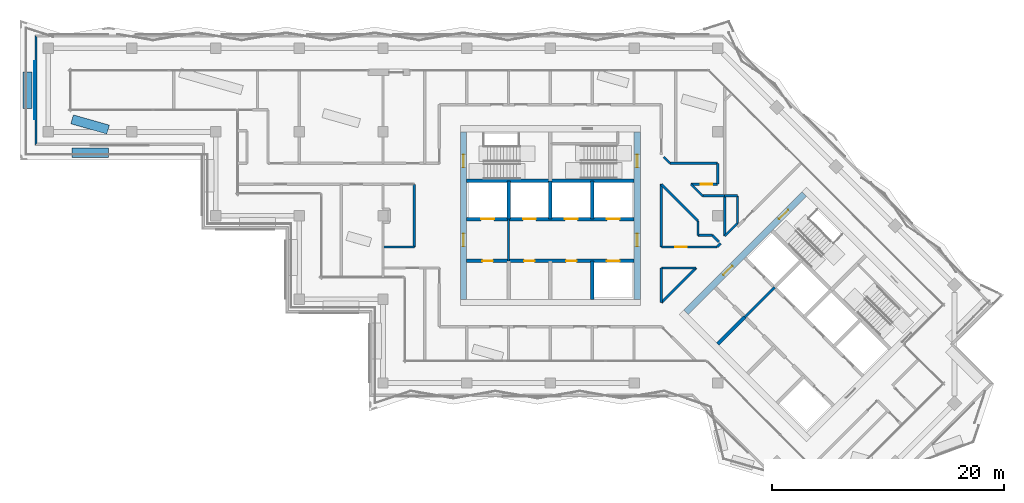
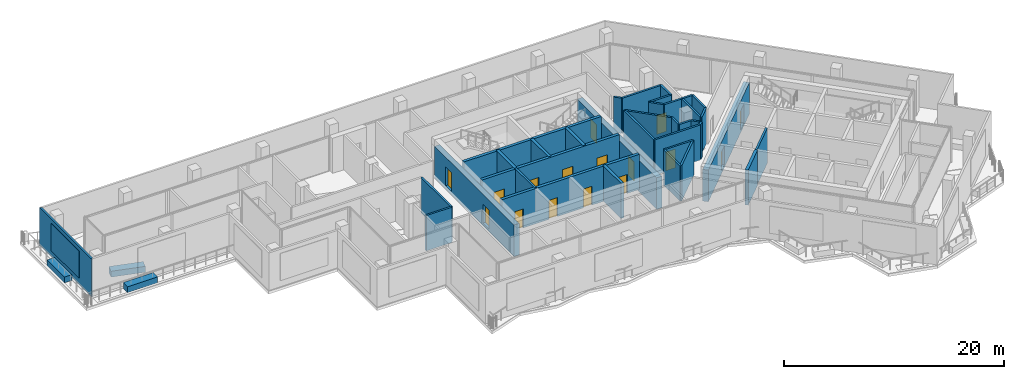
# One storey, part 10 of 19: 40 walls, 16 doors, 1 plate, 16 openings.
"""IFC4 building model written with IfcOpenShell, lengths in metres."""

from ifc_helpers import new_model, si_unit, direction, frame, frame_2d, origin, place, context, subcontext, project, spatial, polyline, rectangle, outline, extrude, material, layer, layer_set, type_object, element, fill, aggregate, save


model = new_model("IFC4")

# Units and contexts
model_context = context("Model", 3, precision=1e-05, world=origin(), true_north=direction((0.0, 1.0)))
body_context = subcontext(model_context, "Body", "Model", "MODEL_VIEW")
ifc_project = project(units=[si_unit("LENGTHUNIT", "METRE"), si_unit("AREAUNIT", "SQUARE_METRE"), si_unit("VOLUMEUNIT", "CUBIC_METRE"), si_unit("PLANEANGLEUNIT", "RADIAN"), si_unit("MASSUNIT", "GRAM", prefix="KILO")], contexts=[model_context])

# Plate
ifc_material_1 = material(Name="Aluminium louvre", Category="aluminium")
ifc_layer_1 = layer(ifc_material_1, 0.05)
ifc_layer_set_1 = layer_set([ifc_layer_1], Name="Belt louvre panel 5000x3000")
plate_type = type_object("IfcPlateType", Name="Belt louvre panel 5000x3000", PredefinedType="SHEET", material=ifc_layer_set_1)
site_placement = place(None, origin())
building_placement = place(site_placement, origin())
storey_placement = place(building_placement, frame((0.0, 0.0, 176.2)))
plate_placement = place(storey_placement, frame((20.4, 70.9, 0.75), z_axis=(-1.0, 0.0, 0.0), x_axis=(0.0, -1.0, 0.0)))
plate = element("IfcPlate", 1, at=plate_placement, type_object=plate_type, Name="Belt louvre panel L48 33.1", PredefinedType="SHEET", context=body_context, shape_type="SweptSolid", body=[
    extrude(outline(polyline([(0.0, 0.0), (5.0, 0.0), (5.0, 3.0), (0.0, 3.0), (0.0, 0.0)])), origin(), (0.0, 0.0, -1.0), 0.05),
])

# Site, building, storey
site = spatial("IfcSite", under=ifc_project, at=site_placement, CompositionType="ELEMENT")
building = spatial("IfcBuilding", under=site, at=building_placement, Name="Windrow Commons", CompositionType="ELEMENT")
storey = spatial("IfcBuildingStorey", under=building, at=storey_placement, Name="L48", CompositionType="ELEMENT", Elevation=176.2)

# Wall
ifc_material_2 = material(Name="Concrete C40/50 precast screen panel", Category="concrete")
ifc_layer_2 = layer(ifc_material_2, 0.2)
ifc_layer_set_2 = layer_set([ifc_layer_2], Name="Belt screen wall 200")
wall_type_1 = type_object("IfcWallType", Name="Belt screen wall 200", PredefinedType="SOLIDWALL", material=ifc_layer_set_2)
wall_1_placement = place(storey_placement, frame((20.55, 73.05, 0.0), z_axis=(0.0, 0.0, 1.0), x_axis=(0.0, -1.0, 0.0)))
wall_1 = element("IfcWall", 2, at=wall_1_placement, inside=storey, type_object=wall_type_1, Name="Belt screen wall L48 33", PredefinedType="SOLIDWALL", context=body_context, shape_type="SweptSolid", body=[
    extrude(outline(polyline([(-0.1, -0.1), (9.4, -0.1), (9.2, 0.1), (0.1, 0.1), (-0.1, -0.1)])), origin(), (0.0, 0.0, 1.0), 4.2),
])

aggregate(wall_1, [plate])

# Walls
ifc_material_3 = material(Name="Blockwork partition", Category="masonry")
ifc_layer_3 = layer(ifc_material_3, 0.2)
ifc_layer_set_3 = layer_set([ifc_layer_3], Name="Fire lobby partition 200")
wall_type_2 = type_object("IfcWallType", Name="Fire lobby partition 200", PredefinedType="PARTITIONING", material=ifc_layer_set_3)
for number, where, z_axis, x_axis, name in (
    (3, (61.2, 53.7, 0.0), (0.0, 0.0, 1.0), (0.0, 1.0, 0.0), "W-core-lobby-A-L48"),
    (4, (81.5335, 48.8776, 0.0), (0.0, 0.0, 1.0), (0.707092892, 0.7071206701, 0.0), "W-core-lobby-B-L48"),
):
    element("IfcWall", number, at=place(storey_placement, frame(where, z_axis=z_axis, x_axis=x_axis)), inside=storey, type_object=wall_type_2, Name=name, PredefinedType="PARTITIONING", context=body_context, shape_type="SweptSolid", body=[
        extrude(rectangle(XDim=3.6, YDim=0.2, at=frame_2d((1.8, 0.0))), origin(), (0.0, 0.0, 1.0), 3.9),
    ])
ifc_material_4 = material(Name="Blockwork partition", Category="masonry")
ifc_layer_4 = layer(ifc_material_4, 0.2)
ifc_layer_set_4 = layer_set([ifc_layer_4], Name="IW-CORRIDOR-200")
wall_type_3 = type_object("IfcWallType", Name="IW-CORRIDOR-200", PredefinedType="PARTITIONING", material=ifc_layer_set_4)
wall_2_placement = place(storey_placement, frame((74.35, 54.902, 0.0), z_axis=(0.0, 0.0, 1.0), x_axis=(0.0, 1.0, 0.0)))
element("IfcWall", 5, at=wall_2_placement, inside=storey, type_object=wall_type_3, Name="W-L48-W012", PredefinedType="PARTITIONING", context=body_context, shape_type="SweptSolid", body=[
    extrude(rectangle(XDim=5.4, YDim=0.2, at=frame_2d((2.7, 0.0))), origin(), (0.0, 0.0, 1.0), 3.9),
])
wall_3_placement = place(storey_placement, frame((53.1, 54.902, 0.0), z_axis=(0.0, 0.0, 1.0), x_axis=(0.0, 1.0, 0.0)))
element("IfcWall", 6, at=wall_3_placement, inside=storey, type_object=wall_type_3, Name="W-L48-W013", PredefinedType="PARTITIONING", context=body_context, shape_type="SweptSolid", body=[
    extrude(rectangle(XDim=5.398, YDim=0.2, at=frame_2d((2.699, 0.0))), origin(), (0.0, 0.0, 1.0), 3.9),
])

# Wall, opening, door
wall_4_placement = place(storey_placement, frame((74.352, 54.9, 0.0), z_axis=(0.0, 0.0, 1.0), x_axis=(1.0, 0.0, 0.0)))
wall_4 = element("IfcWall", 7, at=wall_4_placement, inside=storey, type_object=wall_type_3, Name="W-L48-W019", PredefinedType="PARTITIONING", context=body_context, shape_type="SweptSolid", body=[
    extrude(rectangle(XDim=4.788, YDim=0.2, at=frame_2d((2.394, 0.0))), origin(), (0.0, 0.0, 1.0), 3.9),
])
opening_1_placement = place(wall_4_placement, frame((1.1905, 0.0, 0.0)))
opening_1 = element("IfcOpeningElement", 8, at=opening_1_placement, cuts=wall_4, Name="Opening D310F", PredefinedType="OPENING", context=body_context, shape_type="SweptSolid", body=[
    extrude(rectangle(XDim=1.0, YDim=2.1, at=frame_2d((0.5, 1.05))), frame((0.0, 0.11, 0.0), z_axis=(0.0, -1.0, 0.0), x_axis=(1.0, 0.0, 0.0)), (0.0, 0.0, 1.0), 0.22),
])
ifc_material_5 = material(Name="Timber door leaf", Category="wood")
door_type_1 = type_object("IfcDoorType", Name="DT-AMENITY-1000", OperationType="SINGLE_SWING_LEFT", PredefinedType="DOOR", material=ifc_material_5)
door_1_placement = place(opening_1_placement, origin())
door_1 = element("IfcDoor", 9, at=door_1_placement, inside=storey, type_object=door_type_1, Name="D-L48-D003", OperationType="SINGLE_SWING_LEFT", OverallHeight=2.1, OverallWidth=1.0, PredefinedType="DOOR", context=body_context, shape_type="SweptSolid", body=[
    extrude(rectangle(XDim=1.0, YDim=2.1, at=frame_2d((0.5, 1.05))), frame((0.0, 0.025, 0.0), z_axis=(0.0, -1.0, 0.0), x_axis=(1.0, 0.0, 0.0)), (0.0, 0.0, 1.0), 0.05),
])
fill(opening_1, door_1)

# Walls
wall_5_placement = place(storey_placement, frame((74.3486, 60.2986, 0.0), z_axis=(0.0, 0.0, 1.0), x_axis=(0.7071067812, -0.7071067812, 0.0)))
element("IfcWall", 10, at=wall_5_placement, inside=storey, type_object=wall_type_3, Name="W-L48-W021", PredefinedType="PARTITIONING", context=body_context, shape_type="SweptSolid", body=[
    extrude(rectangle(XDim=4.4519, YDim=0.2, at=frame_2d((2.226, 0.0))), origin(), (0.0, 0.0, 1.0), 3.9),
])
wall_6_placement = place(storey_placement, frame((74.3508, 50.1112, 0.0), z_axis=(0.0, 0.0, 1.0), x_axis=(0.7071067812, 0.7071067812, 0.0)))
element("IfcWall", 11, at=wall_6_placement, inside=storey, type_object=wall_type_3, Name="W-L48-W023", PredefinedType="PARTITIONING", context=body_context, shape_type="SweptSolid", body=[
    extrude(rectangle(XDim=4.2257, YDim=0.2, at=frame_2d((2.1128, 0.0))), origin(), (0.0, 0.0, 1.0), 3.9),
])
wall_7_placement = place(storey_placement, frame((75.1, 62.1, 0.0), z_axis=(0.0, 0.0, 1.0), x_axis=(1.0, 0.0, 0.0)))
element("IfcWall", 12, at=wall_7_placement, inside=storey, type_object=wall_type_3, Name="W-L48-W025", PredefinedType="PARTITIONING", context=body_context, shape_type="SweptSolid", body=[
    extrude(rectangle(XDim=4.1, YDim=0.2, at=frame_2d((2.05, 0.0))), origin(), (0.0, 0.0, 1.0), 3.9),
])
wall_8_placement = place(storey_placement, frame((79.8, 55.844, 0.0), z_axis=(0.0, 0.0, 1.0), x_axis=(0.0, 1.0, 0.0)))
element("IfcWall", 13, at=wall_8_placement, inside=storey, type_object=wall_type_3, Name="W-L48-W026", PredefinedType="PARTITIONING", context=body_context, shape_type="SweptSolid", body=[
    extrude(rectangle(XDim=3.456, YDim=0.2, at=frame_2d((1.728, 0.0))), origin(), (0.0, 0.0, 1.0), 3.9),
])
wall_9_placement = place(storey_placement, frame((74.35, 50.112, 0.0), z_axis=(0.0, 0.0, 1.0), x_axis=(0.0, 1.0, 0.0)))
element("IfcWall", 14, at=wall_9_placement, inside=storey, type_object=wall_type_3, Name="W-L48-W030", PredefinedType="PARTITIONING", context=body_context, shape_type="SweptSolid", body=[
    extrude(rectangle(XDim=2.988, YDim=0.2, at=frame_2d((1.494, 0.0))), origin(), (0.0, 0.0, 1.0), 3.9),
])
wall_10_placement = place(storey_placement, frame((74.352, 53.1, 0.0), z_axis=(0.0, 0.0, 1.0), x_axis=(1.0, 0.0, 0.0)))
element("IfcWall", 15, at=wall_10_placement, inside=storey, type_object=wall_type_3, Name="W-L48-W031", PredefinedType="PARTITIONING", context=body_context, shape_type="SweptSolid", body=[
    extrude(rectangle(XDim=2.986, YDim=0.2, at=frame_2d((1.493, 0.0))), origin(), (0.0, 0.0, 1.0), 3.9),
])
wall_11_placement = place(storey_placement, frame((50.4, 54.9, 0.0), z_axis=(0.0, 0.0, 1.0), x_axis=(1.0, 0.0, 0.0)))
element("IfcWall", 16, at=wall_11_placement, inside=storey, type_object=wall_type_3, Name="W-L48-W045", PredefinedType="PARTITIONING", context=body_context, shape_type="SweptSolid", body=[
    extrude(rectangle(XDim=2.7, YDim=0.2, at=frame_2d((1.35, 0.0))), origin(), (0.0, 0.0, 1.0), 3.9),
])

# Wall, opening, door
wall_12_placement = place(storey_placement, frame((76.902, 60.3, 0.0), z_axis=(0.0, 0.0, 1.0), x_axis=(1.0, 0.0, 0.0)))
wall_12 = element("IfcWall", 17, at=wall_12_placement, inside=storey, type_object=wall_type_3, Name="W-L48-W048", PredefinedType="PARTITIONING", context=body_context, shape_type="SweptSolid", body=[
    extrude(rectangle(XDim=2.296, YDim=0.2, at=frame_2d((1.148, 0.0))), origin(), (0.0, 0.0, 1.0), 3.9),
])
opening_2_placement = place(wall_12_placement, frame((0.8254, 0.0, 0.0)))
opening_2 = element("IfcOpeningElement", 18, at=opening_2_placement, cuts=wall_12, Name="Opening D310F", PredefinedType="OPENING", context=body_context, shape_type="SweptSolid", body=[
    extrude(rectangle(XDim=1.0, YDim=2.1, at=frame_2d((0.5, 1.05))), frame((0.0, 0.11, 0.0), z_axis=(0.0, -1.0, 0.0), x_axis=(1.0, 0.0, 0.0)), (0.0, 0.0, 1.0), 0.22),
])
door_2_placement = place(opening_2_placement, origin())
door_2 = element("IfcDoor", 19, at=door_2_placement, inside=storey, type_object=door_type_1, Name="D-L48-D021", OperationType="SINGLE_SWING_LEFT", OverallHeight=2.1, OverallWidth=1.0, PredefinedType="DOOR", context=body_context, shape_type="SweptSolid", body=[
    extrude(rectangle(XDim=1.0, YDim=2.1, at=frame_2d((0.5, 1.05))), frame((0.0, 0.025, 0.0), z_axis=(0.0, -1.0, 0.0), x_axis=(1.0, 0.0, 0.0)), (0.0, 0.0, 1.0), 0.05),
])
fill(opening_2, door_2)

# Walls
wall_13_placement = place(storey_placement, frame((77.9, 59.3, 0.0), z_axis=(0.0, 0.0, 1.0), x_axis=(1.0, 0.0, 0.0)))
element("IfcWall", 20, at=wall_13_placement, inside=storey, type_object=wall_type_3, Name="W-L48-W053", PredefinedType="PARTITIONING", context=body_context, shape_type="SweptSolid", body=[
    extrude(rectangle(XDim=1.9, YDim=0.2, at=frame_2d((0.95, 0.0))), origin(), (0.0, 0.0, 1.0), 3.9),
])
wall_14_placement = place(storey_placement, frame((79.2, 60.302, 0.0), z_axis=(0.0, 0.0, 1.0), x_axis=(0.0, 1.0, 0.0)))
element("IfcWall", 21, at=wall_14_placement, inside=storey, type_object=wall_type_3, Name="W-L48-W055", PredefinedType="PARTITIONING", context=body_context, shape_type="SweptSolid", body=[
    extrude(rectangle(XDim=1.798, YDim=0.2, at=frame_2d((0.899, 0.0))), origin(), (0.0, 0.0, 1.0), 3.9),
])
wall_15_placement = place(storey_placement, frame((79.8014, 55.8446, 0.0), z_axis=(0.0, 0.0, 1.0), x_axis=(0.7071067812, 0.7071067812, 0.0)))
element("IfcWall", 22, at=wall_15_placement, inside=storey, type_object=wall_type_3, Name="W-L48-W056", PredefinedType="PARTITIONING", context=body_context, shape_type="SweptSolid", body=[
    extrude(rectangle(XDim=1.5528, YDim=0.2, at=frame_2d((0.7764, 0.0))), origin(), (0.0, 0.0, 1.0), 3.9),
])
wall_16_placement = place(storey_placement, frame((76.9033, 60.3013, 0.0), z_axis=(0.0, 0.0, 1.0), x_axis=(0.7063986127, -0.7078142412, 0.0)))
element("IfcWall", 23, at=wall_16_placement, inside=storey, type_object=wall_type_3, Name="W-L48-W057", PredefinedType="PARTITIONING", context=body_context, shape_type="SweptSolid", body=[
    extrude(rectangle(XDim=1.4128, YDim=0.2, at=frame_2d((0.7064, 0.0))), origin(), (0.0, 0.0, 1.0), 3.9),
])
wall_17_placement = place(storey_placement, frame((77.5, 55.9, 0.0), z_axis=(0.0, 0.0, 1.0), x_axis=(0.0, 1.0, 0.0)))
element("IfcWall", 24, at=wall_17_placement, inside=storey, type_object=wall_type_3, Name="W-L48-W058", PredefinedType="PARTITIONING", context=body_context, shape_type="SweptSolid", body=[
    extrude(rectangle(XDim=1.254, YDim=0.2, at=frame_2d((0.627, 0.0))), origin(), (0.0, 0.0, 1.0), 3.9),
])
wall_18_placement = place(storey_placement, frame((77.502, 55.9, 0.0), z_axis=(0.0, 0.0, 1.0), x_axis=(1.0, 0.0, 0.0)))
element("IfcWall", 25, at=wall_18_placement, inside=storey, type_object=wall_type_3, Name="W-L48-W059", PredefinedType="PARTITIONING", context=body_context, shape_type="SweptSolid", body=[
    extrude(rectangle(XDim=1.252, YDim=0.2, at=frame_2d((0.626, 0.0))), origin(), (0.0, 0.0, 1.0), 3.9),
])
wall_19_placement = place(storey_placement, frame((78.7506, 55.8966, 0.0), z_axis=(0.0, 0.0, 1.0), x_axis=(0.7071067812, -0.7071067812, 0.0)))
element("IfcWall", 26, at=wall_19_placement, inside=storey, type_object=wall_type_3, Name="W-L48-W063", PredefinedType="PARTITIONING", context=body_context, shape_type="SweptSolid", body=[
    extrude(rectangle(XDim=0.7806, YDim=0.2, at=frame_2d((0.3903, 0.0))), origin(), (0.0, 0.0, 1.0), 3.9),
])
wall_20_placement = place(storey_placement, frame((74.5535, 62.6535, 0.0), z_axis=(0.0, 0.0, 1.0), x_axis=(0.7071067812, -0.7071067812, 0.0)))
element("IfcWall", 27, at=wall_20_placement, inside=storey, type_object=wall_type_3, Name="W-L48-W064", PredefinedType="PARTITIONING", context=body_context, shape_type="SweptSolid", body=[
    extrude(rectangle(XDim=0.7778, YDim=0.2, at=frame_2d((0.3889, 0.0))), origin(), (0.0, 0.0, 1.0), 3.9),
])
wall_21_placement = place(storey_placement, frame((79.1408, 54.9012, 0.0), z_axis=(0.0, 0.0, 1.0), x_axis=(0.7071067812, 0.7071067812, 0.0)))
element("IfcWall", 28, at=wall_21_placement, inside=storey, type_object=wall_type_3, Name="W-L48-W070", PredefinedType="PARTITIONING", context=body_context, shape_type="SweptSolid", body=[
    extrude(rectangle(XDim=0.4327, YDim=0.2, at=frame_2d((0.2163, 0.0))), origin(), (0.0, 0.0, 1.0), 3.9),
])
ifc_material_6 = material(Name="Blockwork partition", Category="masonry")
ifc_layer_5 = layer(ifc_material_6, 0.2)
ifc_layer_set_5 = layer_set([ifc_layer_5], Name="IW-PARTY-200")
wall_type_4 = type_object("IfcWallType", Name="IW-PARTY-200", PredefinedType="PARTITIONING", material=ifc_layer_set_5)
wall_22_placement = place(storey_placement, frame((80.9, 56.942, 0.0), z_axis=(0.0, 0.0, 1.0), x_axis=(0.0, 1.0, 0.0)))
element("IfcWall", 29, at=wall_22_placement, inside=storey, type_object=wall_type_4, Name="W-L48-W047", PredefinedType="PARTITIONING", context=body_context, shape_type="SweptSolid", body=[
    extrude(rectangle(XDim=2.356, YDim=0.2, at=frame_2d((1.178, 0.0))), origin(), (0.0, 0.0, 1.0), 3.9),
])
wall_23_placement = place(storey_placement, frame((79.8, 59.3, 0.0), z_axis=(0.0, 0.0, 1.0), x_axis=(1.0, 0.0, 0.0)))
element("IfcWall", 30, at=wall_23_placement, inside=storey, type_object=wall_type_4, Name="W-L48-W061", PredefinedType="PARTITIONING", context=body_context, shape_type="SweptSolid", body=[
    extrude(rectangle(XDim=1.098, YDim=0.2, at=frame_2d((0.549, 0.0))), origin(), (0.0, 0.0, 1.0), 3.9),
])
ifc_material_7 = material(Name="Concrete C30/37 planter wall", Category="concrete")
ifc_layer_6 = layer(ifc_material_7, 0.8)
ifc_layer_set_6 = layer_set([ifc_layer_6], Name="Planter 800x600")
wall_type_5 = type_object("IfcWallType", Name="Planter 800x600", PredefinedType="SOLIDWALL", material=ifc_layer_set_6)
for number, where, z_axis, x_axis, name in (
    (31, (19.817, 69.9733, 0.0), (0.0, 0.0, 1.0), (0.0, -1.0, 0.0), "PLANTER TR-L48-1.33"),
    (32, (23.6267, 63.017, 0.0), (0.0, 0.0, 1.0), (1.0, 0.0, 0.0), "PLANTER TR-L48-1.34"),
):
    element("IfcWall", number, at=place(storey_placement, frame(where, z_axis=z_axis, x_axis=x_axis)), inside=storey, type_object=wall_type_5, Name=name, PredefinedType="SOLIDWALL", context=body_context, shape_type="SweptSolid", body=[
        extrude(rectangle(XDim=3.1466, YDim=0.8, at=frame_2d((1.5733, 0.0))), origin(), (0.0, 0.0, 1.0), 0.65),
    ])
wall_24_placement = place(storey_placement, frame((26.75, 65.0071, 0.0), z_axis=(0.0, 0.0, 1.0), x_axis=(-0.9622595861, 0.2721332191, 0.0)))
element("IfcWall", 33, at=wall_24_placement, inside=storey, type_object=wall_type_5, Name="PLANTER TR-L48-1 bed 11", PredefinedType="SOLIDWALL", context=body_context, shape_type="SweptSolid", body=[
    extrude(rectangle(XDim=3.2216, YDim=0.8, at=frame_2d((1.6108, 0.0))), origin(), (0.0, 0.0, 1.0), 0.65),
])

# Wall, openings, doors
ifc_material_8 = material(Name="Concrete C50/60", Category="concrete")
ifc_layer_7 = layer(ifc_material_8, 0.55)
ifc_layer_set_7 = layer_set([ifc_layer_7], Name="RC CORE WALL 550 C50/60")
wall_type_6 = type_object("IfcWallType", Name="RC CORE WALL 550 C50/60", PredefinedType="SHEAR", material=ifc_layer_set_7)
wall_25_placement = place(storey_placement, frame((57.325, 50.4, -0.3), z_axis=(0.0, 0.0, 1.0), x_axis=(0.0, 1.0, 0.0)))
wall_25 = element("IfcWall", 34, at=wall_25_placement, inside=storey, type_object=wall_type_6, Name="Core A wall outer-W", PredefinedType="SHEAR", context=body_context, shape_type="SweptSolid", body=[
    extrude(rectangle(XDim=14.4, YDim=0.55, at=frame_2d((7.2, 0.0))), origin(), (0.0, 0.0, 1.0), 3.5),
])
opening_3_placement = place(wall_25_placement, frame((4.55, 0.0, 0.3)))
opening_3 = element("IfcOpeningElement", 35, at=opening_3_placement, cuts=wall_25, Name="Opening D6", PredefinedType="OPENING", context=body_context, shape_type="SweptSolid", body=[
    extrude(rectangle(XDim=1.1, YDim=2.1, at=frame_2d((0.55, 1.05))), frame((0.0, 0.285, 0.0), z_axis=(0.0, -1.0, 0.0), x_axis=(1.0, 0.0, 0.0)), (0.0, 0.0, 1.0), 0.57),
])
opening_4_placement = place(wall_25_placement, frame((11.35, 0.0, 0.3)))
opening_4 = element("IfcOpeningElement", 36, at=opening_4_placement, cuts=wall_25, Name="Opening D7", PredefinedType="OPENING", context=body_context, shape_type="SweptSolid", body=[
    extrude(rectangle(XDim=1.1, YDim=2.1, at=frame_2d((0.55, 1.05))), frame((0.0, 0.285, 0.0), z_axis=(0.0, -1.0, 0.0), x_axis=(1.0, 0.0, 0.0)), (0.0, 0.0, 1.0), 0.57),
])
ifc_material_9 = material(Name="Steel fire door leaf", Category="steel")
door_type_2 = type_object("IfcDoorType", Name="Core lobby door 1100", OperationType="SINGLE_SWING_LEFT", PredefinedType="DOOR", material=ifc_material_9)
door_3_placement = place(opening_3_placement, origin())
door_3 = element("IfcDoor", 37, at=door_3_placement, inside=storey, type_object=door_type_2, Name="Lift lobby door", OperationType="DOUBLE_DOOR_SINGLE_SWING", OverallHeight=2.1, OverallWidth=1.1, PredefinedType="DOOR", context=body_context, shape_type="SweptSolid", body=[
    extrude(rectangle(XDim=1.1, YDim=2.1, at=frame_2d((0.55, 1.05))), frame((0.0, 0.025, 0.0), z_axis=(0.0, -1.0, 0.0), x_axis=(1.0, 0.0, 0.0)), (0.0, 0.0, 1.0), 0.05),
])
fill(opening_3, door_3)
ifc_material_10 = material(Name="Steel fire door leaf", Category="steel")
door_type_3 = type_object("IfcDoorType", Name="Stair door 1100", OperationType="SINGLE_SWING_LEFT", PredefinedType="DOOR", material=ifc_material_10)
door_4_placement = place(opening_4_placement, origin())
door_4 = element("IfcDoor", 38, at=door_4_placement, inside=storey, type_object=door_type_3, Name="Stair door", OperationType="SINGLE_SWING_LEFT", OverallHeight=2.1, OverallWidth=1.1, PredefinedType="DOOR", context=body_context, shape_type="SweptSolid", body=[
    extrude(rectangle(XDim=1.1, YDim=2.1, at=frame_2d((0.55, 1.05))), frame((0.0, 0.025, 0.0), z_axis=(0.0, -1.0, 0.0), x_axis=(1.0, 0.0, 0.0)), (0.0, 0.0, 1.0), 0.05),
])
fill(opening_4, door_4)

wall_26_placement = place(storey_placement, frame((72.275, 50.4, -0.3), z_axis=(0.0, 0.0, 1.0), x_axis=(0.0, 1.0, 0.0)))
wall_26 = element("IfcWall", 39, at=wall_26_placement, inside=storey, type_object=wall_type_6, Name="Core A wall outer-E", PredefinedType="SHEAR", context=body_context, shape_type="SweptSolid", body=[
    extrude(rectangle(XDim=14.4, YDim=0.55, at=frame_2d((7.2, 0.0))), origin(), (0.0, 0.0, 1.0), 3.5),
])
opening_5_placement = place(wall_26_placement, frame((4.55, 0.0, 0.3)))
opening_5 = element("IfcOpeningElement", 40, at=opening_5_placement, cuts=wall_26, Name="Opening D6", PredefinedType="OPENING", context=body_context, shape_type="SweptSolid", body=[
    extrude(rectangle(XDim=1.1, YDim=2.1, at=frame_2d((0.55, 1.05))), frame((0.0, 0.285, 0.0), z_axis=(0.0, -1.0, 0.0), x_axis=(1.0, 0.0, 0.0)), (0.0, 0.0, 1.0), 0.57),
])
opening_6_placement = place(wall_26_placement, frame((11.35, 0.0, 0.3)))
opening_6 = element("IfcOpeningElement", 41, at=opening_6_placement, cuts=wall_26, Name="Opening D7", PredefinedType="OPENING", context=body_context, shape_type="SweptSolid", body=[
    extrude(rectangle(XDim=1.1, YDim=2.1, at=frame_2d((0.55, 1.05))), frame((0.0, 0.285, 0.0), z_axis=(0.0, -1.0, 0.0), x_axis=(1.0, 0.0, 0.0)), (0.0, 0.0, 1.0), 0.57),
])
door_5_placement = place(opening_5_placement, origin())
door_5 = element("IfcDoor", 42, at=door_5_placement, inside=storey, type_object=door_type_2, Name="Lift lobby door", OperationType="DOUBLE_DOOR_SINGLE_SWING", OverallHeight=2.1, OverallWidth=1.1, PredefinedType="DOOR", context=body_context, shape_type="SweptSolid", body=[
    extrude(rectangle(XDim=1.1, YDim=2.1, at=frame_2d((0.55, 1.05))), frame((0.0, 0.025, 0.0), z_axis=(0.0, -1.0, 0.0), x_axis=(1.0, 0.0, 0.0)), (0.0, 0.0, 1.0), 0.05),
])
fill(opening_5, door_5)
door_6_placement = place(opening_6_placement, origin())
door_6 = element("IfcDoor", 43, at=door_6_placement, inside=storey, type_object=door_type_3, Name="Stair door", OperationType="SINGLE_SWING_RIGHT", OverallHeight=2.1, OverallWidth=1.1, PredefinedType="DOOR", context=body_context, shape_type="SweptSolid", body=[
    extrude(rectangle(XDim=1.1, YDim=2.1, at=frame_2d((0.55, 1.05))), frame((0.0, 0.025, 0.0), z_axis=(0.0, -1.0, 0.0), x_axis=(1.0, 0.0, 0.0)), (0.0, 0.0, 1.0), 0.05),
])
fill(opening_6, door_6)

wall_27_placement = place(storey_placement, frame((76.46, 49.2842, -0.3), z_axis=(0.0, 0.0, 1.0), x_axis=(0.7071067812, 0.7071067812, 0.0)))
wall_27 = element("IfcWall", 44, at=wall_27_placement, inside=storey, type_object=wall_type_6, Name="Core B wall outer-W", PredefinedType="SHEAR", context=body_context, shape_type="SweptSolid", body=[
    extrude(rectangle(XDim=14.3999, YDim=0.55, at=frame_2d((7.2, 0.0))), origin(), (0.0, 0.0, 1.0), 3.5),
])
opening_7_placement = place(wall_27_placement, frame((4.55, 0.0, 0.3)))
opening_7 = element("IfcOpeningElement", 45, at=opening_7_placement, cuts=wall_27, Name="Opening D6", PredefinedType="OPENING", context=body_context, shape_type="SweptSolid", body=[
    extrude(rectangle(XDim=1.1, YDim=2.1, at=frame_2d((0.55, 1.05))), frame((0.0, 0.285, 0.0), z_axis=(0.0, -1.0, 0.0), x_axis=(1.0, 0.0, 0.0)), (0.0, 0.0, 1.0), 0.57),
])
opening_8_placement = place(wall_27_placement, frame((11.35, 0.0, 0.3)))
opening_8 = element("IfcOpeningElement", 46, at=opening_8_placement, cuts=wall_27, Name="Opening D7", PredefinedType="OPENING", context=body_context, shape_type="SweptSolid", body=[
    extrude(rectangle(XDim=1.1, YDim=2.1, at=frame_2d((0.55, 1.05))), frame((0.0, 0.285, 0.0), z_axis=(0.0, -1.0, 0.0), x_axis=(1.0, 0.0, 0.0)), (0.0, 0.0, 1.0), 0.57),
])
door_7_placement = place(opening_7_placement, origin())
door_7 = element("IfcDoor", 47, at=door_7_placement, inside=storey, type_object=door_type_2, Name="Lift lobby door", OperationType="DOUBLE_DOOR_SINGLE_SWING", OverallHeight=2.1, OverallWidth=1.1, PredefinedType="DOOR", context=body_context, shape_type="SweptSolid", body=[
    extrude(rectangle(XDim=1.1, YDim=2.1, at=frame_2d((0.55, 1.05))), frame((0.0, 0.025, 0.0), z_axis=(0.0, -1.0, 0.0), x_axis=(1.0, 0.0, 0.0)), (0.0, 0.0, 1.0), 0.05),
])
fill(opening_7, door_7)
door_8_placement = place(opening_8_placement, origin())
door_8 = element("IfcDoor", 48, at=door_8_placement, inside=storey, type_object=door_type_3, Name="Stair door", OperationType="SINGLE_SWING_LEFT", OverallHeight=2.1, OverallWidth=1.1, PredefinedType="DOOR", context=body_context, shape_type="SweptSolid", body=[
    extrude(rectangle(XDim=1.1, YDim=2.1, at=frame_2d((0.55, 1.05))), frame((0.0, 0.025, 0.0), z_axis=(0.0, -1.0, 0.0), x_axis=(1.0, 0.0, 0.0)), (0.0, 0.0, 1.0), 0.05),
])
fill(opening_8, door_8)

# Walls
ifc_material_11 = material(Name="Concrete C50/60", Category="concrete")
ifc_layer_8 = layer(ifc_material_11, 0.3)
ifc_layer_set_8 = layer_set([ifc_layer_8], Name="RC SHAFT WALL 300 C50/60")
wall_type_7 = type_object("IfcWallType", Name="RC SHAFT WALL 300 C50/60", PredefinedType="SOLIDWALL", material=ifc_layer_set_8)
for number, where, z_axis, x_axis, name in (
    (49, (61.2, 57.3, 0.0), (0.0, 0.0, 1.0), (0.0, 1.0, 0.0), "Core A wall shaft-N1"),
    (50, (64.8, 57.3, 0.0), (0.0, 0.0, 1.0), (0.0, 1.0, 0.0), "Core A wall shaft-N2"),
    (51, (68.4, 50.4, 0.0), (0.0, 0.0, 1.0), (0.0, 1.0, 0.0), "Core A wall shaft-S3"),
    (52, (68.4, 57.3, 0.0), (0.0, 0.0, 1.0), (0.0, 1.0, 0.0), "Core A wall shaft-N3"),
):
    element("IfcWall", number, at=place(storey_placement, frame(where, z_axis=z_axis, x_axis=x_axis)), inside=storey, type_object=wall_type_7, Name=name, PredefinedType="SOLIDWALL", context=body_context, shape_type="SweptSolid", body=[
        extrude(rectangle(XDim=3.3, YDim=0.3, at=frame_2d((1.65, 0.0))), origin(), (0.0, 0.0, 1.0), 3.9),
    ])

# Wall, openings, doors
wall_28_placement = place(storey_placement, frame((57.6, 53.7, 0.0), z_axis=(0.0, 0.0, 1.0), x_axis=(1.0, 0.0, 0.0)))
wall_28 = element("IfcWall", 53, at=wall_28_placement, inside=storey, type_object=wall_type_7, Name="Core A wall lobby-S", PredefinedType="SOLIDWALL", context=body_context, shape_type="SweptSolid", body=[
    extrude(rectangle(XDim=14.4, YDim=0.3, at=frame_2d((7.2, 0.0))), origin(), (0.0, 0.0, 1.0), 3.9),
])
opening_9_placement = place(wall_28_placement, frame((1.35, 0.0, 0.0)))
opening_9 = element("IfcOpeningElement", 54, at=opening_9_placement, cuts=wall_28, Name="Opening D8", PredefinedType="OPENING", context=body_context, shape_type="SweptSolid", body=[
    extrude(rectangle(XDim=0.9, YDim=2.1, at=frame_2d((0.45, 1.05))), frame((0.0, 0.16, 0.0), z_axis=(0.0, -1.0, 0.0), x_axis=(1.0, 0.0, 0.0)), (0.0, 0.0, 1.0), 0.32),
])
opening_10_placement = place(wall_28_placement, frame((4.95, 0.0, 0.0)))
opening_10 = element("IfcOpeningElement", 55, at=opening_10_placement, cuts=wall_28, Name="Opening D8", PredefinedType="OPENING", context=body_context, shape_type="SweptSolid", body=[
    extrude(rectangle(XDim=0.9, YDim=2.1, at=frame_2d((0.45, 1.05))), frame((0.0, 0.16, 0.0), z_axis=(0.0, -1.0, 0.0), x_axis=(1.0, 0.0, 0.0)), (0.0, 0.0, 1.0), 0.32),
])
opening_11_placement = place(wall_28_placement, frame((8.55, 0.0, 0.0)))
opening_11 = element("IfcOpeningElement", 56, at=opening_11_placement, cuts=wall_28, Name="Opening D8", PredefinedType="OPENING", context=body_context, shape_type="SweptSolid", body=[
    extrude(rectangle(XDim=0.9, YDim=2.1, at=frame_2d((0.45, 1.05))), frame((0.0, 0.16, 0.0), z_axis=(0.0, -1.0, 0.0), x_axis=(1.0, 0.0, 0.0)), (0.0, 0.0, 1.0), 0.32),
])
opening_12_placement = place(wall_28_placement, frame((12.05, 0.0, 0.0)))
opening_12 = element("IfcOpeningElement", 57, at=opening_12_placement, cuts=wall_28, Name="Opening LD", PredefinedType="OPENING", context=body_context, shape_type="SweptSolid", body=[
    extrude(rectangle(XDim=1.1, YDim=2.1, at=frame_2d((0.55, 1.05))), frame((0.0, 0.16, 0.0), z_axis=(0.0, -1.0, 0.0), x_axis=(1.0, 0.0, 0.0)), (0.0, 0.0, 1.0), 0.32),
])
ifc_material_12 = material(Name="Steel fire door leaf", Category="steel")
door_type_4 = type_object("IfcDoorType", Name="Core store door 900", OperationType="SINGLE_SWING_LEFT", PredefinedType="DOOR", material=ifc_material_12)
door_9_placement = place(opening_9_placement, origin())
door_9 = element("IfcDoor", 58, at=door_9_placement, inside=storey, type_object=door_type_4, Name="Store door", OperationType="SINGLE_SWING_LEFT", OverallHeight=2.1, OverallWidth=0.9, PredefinedType="DOOR", context=body_context, shape_type="SweptSolid", body=[
    extrude(rectangle(XDim=0.9, YDim=2.1, at=frame_2d((0.45, 1.05))), frame((0.0, 0.025, 0.0), z_axis=(0.0, -1.0, 0.0), x_axis=(1.0, 0.0, 0.0)), (0.0, 0.0, 1.0), 0.05),
])
fill(opening_9, door_9)
door_10_placement = place(opening_10_placement, origin())
door_10 = element("IfcDoor", 59, at=door_10_placement, inside=storey, type_object=door_type_4, Name="Store door", OperationType="SINGLE_SWING_LEFT", OverallHeight=2.1, OverallWidth=0.9, PredefinedType="DOOR", context=body_context, shape_type="SweptSolid", body=[
    extrude(rectangle(XDim=0.9, YDim=2.1, at=frame_2d((0.45, 1.05))), frame((0.0, 0.025, 0.0), z_axis=(0.0, -1.0, 0.0), x_axis=(1.0, 0.0, 0.0)), (0.0, 0.0, 1.0), 0.05),
])
fill(opening_10, door_10)
door_11_placement = place(opening_11_placement, origin())
door_11 = element("IfcDoor", 60, at=door_11_placement, inside=storey, type_object=door_type_4, Name="Store door", OperationType="SINGLE_SWING_LEFT", OverallHeight=2.1, OverallWidth=0.9, PredefinedType="DOOR", context=body_context, shape_type="SweptSolid", body=[
    extrude(rectangle(XDim=0.9, YDim=2.1, at=frame_2d((0.45, 1.05))), frame((0.0, 0.025, 0.0), z_axis=(0.0, -1.0, 0.0), x_axis=(1.0, 0.0, 0.0)), (0.0, 0.0, 1.0), 0.05),
])
fill(opening_11, door_11)
ifc_material_13 = material(Name="Stainless steel door leaf", Category="steel")
door_type_5 = type_object("IfcDoorType", Name="Lift landing door 1100", OperationType="SLIDING_TO_LEFT", PredefinedType="DOOR", material=ifc_material_13)
door_12_placement = place(opening_12_placement, origin())
door_12 = element("IfcDoor", 61, at=door_12_placement, inside=storey, type_object=door_type_5, Name="Lift landing door", OperationType="SLIDING_TO_RIGHT", OverallHeight=2.1, OverallWidth=1.1, PredefinedType="DOOR", context=body_context, shape_type="SweptSolid", body=[
    extrude(rectangle(XDim=1.1, YDim=2.1, at=frame_2d((0.55, 1.05))), frame((0.0, 0.025, 0.0), z_axis=(0.0, -1.0, 0.0), x_axis=(1.0, 0.0, 0.0)), (0.0, 0.0, 1.0), 0.05),
])
fill(opening_12, door_12)

wall_29_placement = place(storey_placement, frame((57.6, 57.3, 0.0), z_axis=(0.0, 0.0, 1.0), x_axis=(1.0, 0.0, 0.0)))
wall_29 = element("IfcWall", 62, at=wall_29_placement, inside=storey, type_object=wall_type_7, Name="Core A wall lobby-N", PredefinedType="SOLIDWALL", context=body_context, shape_type="SweptSolid", body=[
    extrude(rectangle(XDim=14.4, YDim=0.3, at=frame_2d((7.2, 0.0))), origin(), (0.0, 0.0, 1.0), 3.9),
])
opening_13_placement = place(wall_29_placement, frame((1.25, 0.0, 0.0)))
opening_13 = element("IfcOpeningElement", 63, at=opening_13_placement, cuts=wall_29, Name="Opening LD", PredefinedType="OPENING", context=body_context, shape_type="SweptSolid", body=[
    extrude(rectangle(XDim=1.1, YDim=2.1, at=frame_2d((0.55, 1.05))), frame((0.0, 0.16, 0.0), z_axis=(0.0, -1.0, 0.0), x_axis=(1.0, 0.0, 0.0)), (0.0, 0.0, 1.0), 0.32),
])
opening_14_placement = place(wall_29_placement, frame((4.85, 0.0, 0.0)))
opening_14 = element("IfcOpeningElement", 64, at=opening_14_placement, cuts=wall_29, Name="Opening LD", PredefinedType="OPENING", context=body_context, shape_type="SweptSolid", body=[
    extrude(rectangle(XDim=1.1, YDim=2.1, at=frame_2d((0.55, 1.05))), frame((0.0, 0.16, 0.0), z_axis=(0.0, -1.0, 0.0), x_axis=(1.0, 0.0, 0.0)), (0.0, 0.0, 1.0), 0.32),
])
opening_15_placement = place(wall_29_placement, frame((8.45, 0.0, 0.0)))
opening_15 = element("IfcOpeningElement", 65, at=opening_15_placement, cuts=wall_29, Name="Opening LD", PredefinedType="OPENING", context=body_context, shape_type="SweptSolid", body=[
    extrude(rectangle(XDim=1.1, YDim=2.1, at=frame_2d((0.55, 1.05))), frame((0.0, 0.16, 0.0), z_axis=(0.0, -1.0, 0.0), x_axis=(1.0, 0.0, 0.0)), (0.0, 0.0, 1.0), 0.32),
])
opening_16_placement = place(wall_29_placement, frame((12.05, 0.0, 0.0)))
opening_16 = element("IfcOpeningElement", 66, at=opening_16_placement, cuts=wall_29, Name="Opening LD", PredefinedType="OPENING", context=body_context, shape_type="SweptSolid", body=[
    extrude(rectangle(XDim=1.1, YDim=2.1, at=frame_2d((0.55, 1.05))), frame((0.0, 0.16, 0.0), z_axis=(0.0, -1.0, 0.0), x_axis=(1.0, 0.0, 0.0)), (0.0, 0.0, 1.0), 0.32),
])
door_13_placement = place(opening_13_placement, origin())
door_13 = element("IfcDoor", 67, at=door_13_placement, inside=storey, type_object=door_type_5, Name="Lift landing door", OperationType="SLIDING_TO_LEFT", OverallHeight=2.1, OverallWidth=1.1, PredefinedType="DOOR", context=body_context, shape_type="SweptSolid", body=[
    extrude(rectangle(XDim=1.1, YDim=2.1, at=frame_2d((0.55, 1.05))), frame((0.0, 0.025, 0.0), z_axis=(0.0, -1.0, 0.0), x_axis=(1.0, 0.0, 0.0)), (0.0, 0.0, 1.0), 0.05),
])
fill(opening_13, door_13)
door_14_placement = place(opening_14_placement, origin())
door_14 = element("IfcDoor", 68, at=door_14_placement, inside=storey, type_object=door_type_5, Name="Lift landing door", OperationType="SLIDING_TO_RIGHT", OverallHeight=2.1, OverallWidth=1.1, PredefinedType="DOOR", context=body_context, shape_type="SweptSolid", body=[
    extrude(rectangle(XDim=1.1, YDim=2.1, at=frame_2d((0.55, 1.05))), frame((0.0, 0.025, 0.0), z_axis=(0.0, -1.0, 0.0), x_axis=(1.0, 0.0, 0.0)), (0.0, 0.0, 1.0), 0.05),
])
fill(opening_14, door_14)
door_15_placement = place(opening_15_placement, origin())
door_15 = element("IfcDoor", 69, at=door_15_placement, inside=storey, type_object=door_type_5, Name="Lift landing door", OperationType="SLIDING_TO_LEFT", OverallHeight=2.1, OverallWidth=1.1, PredefinedType="DOOR", context=body_context, shape_type="SweptSolid", body=[
    extrude(rectangle(XDim=1.1, YDim=2.1, at=frame_2d((0.55, 1.05))), frame((0.0, 0.025, 0.0), z_axis=(0.0, -1.0, 0.0), x_axis=(1.0, 0.0, 0.0)), (0.0, 0.0, 1.0), 0.05),
])
fill(opening_15, door_15)
door_16_placement = place(opening_16_placement, origin())
door_16 = element("IfcDoor", 70, at=door_16_placement, inside=storey, type_object=door_type_5, Name="Lift landing door", OperationType="SLIDING_TO_RIGHT", OverallHeight=2.1, OverallWidth=1.1, PredefinedType="DOOR", context=body_context, shape_type="SweptSolid", body=[
    extrude(rectangle(XDim=1.1, YDim=2.1, at=frame_2d((0.55, 1.05))), frame((0.0, 0.025, 0.0), z_axis=(0.0, -1.0, 0.0), x_axis=(1.0, 0.0, 0.0)), (0.0, 0.0, 1.0), 0.05),
])
fill(opening_16, door_16)

# Walls
for number, where, z_axis, x_axis, name in (
    (71, (57.6, 60.6, 0.0), (0.0, 0.0, 1.0), (1.0, 0.0, 0.0), "Core A wall stair-S"),
    (72, (64.8, 60.6, 0.0), (0.0, 0.0, 1.0), (1.0, 0.0, 0.0), "Core A wall stair-S2"),
):
    element("IfcWall", number, at=place(storey_placement, frame(where, z_axis=z_axis, x_axis=x_axis)), inside=storey, type_object=wall_type_7, Name=name, PredefinedType="SOLIDWALL", context=body_context, shape_type="SweptSolid", body=[
        extrude(rectangle(XDim=7.2, YDim=0.3, at=frame_2d((3.6, 0.0))), origin(), (0.0, 0.0, 1.0), 3.9),
    ])
wall_30_placement = place(storey_placement, frame((79.2, 46.5442, 0.0), z_axis=(0.0, 0.0, 1.0), x_axis=(0.7071219326, 0.7070916295, 0.0)))
element("IfcWall", 73, at=wall_30_placement, inside=storey, type_object=wall_type_7, Name="Core B wall shaft-S1", PredefinedType="SOLIDWALL", context=body_context, shape_type="SweptSolid", body=[
    extrude(rectangle(XDim=3.3, YDim=0.3, at=frame_2d((1.65, 0.0))), origin(), (0.0, 0.0, 1.0), 3.9),
])

save(model, "model.ifc")
